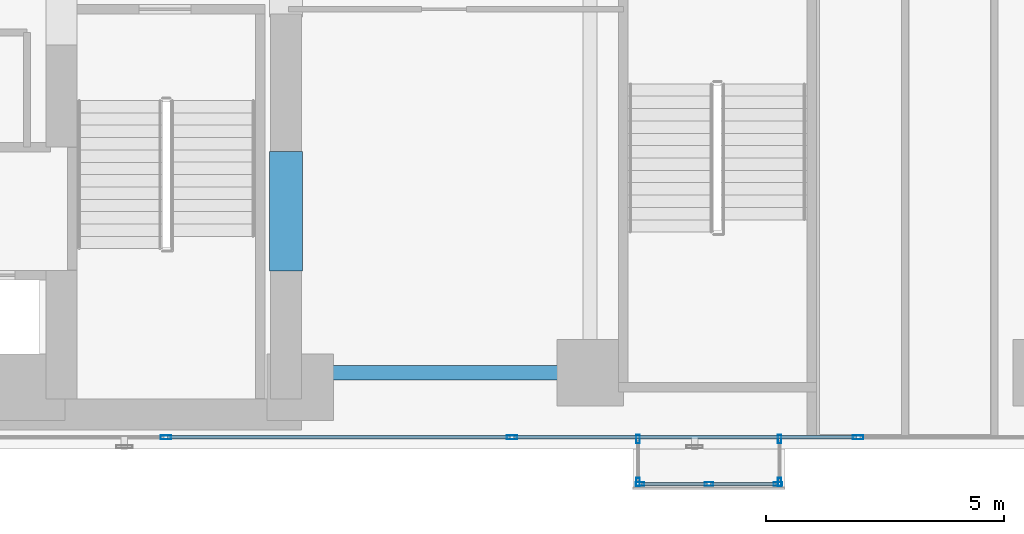
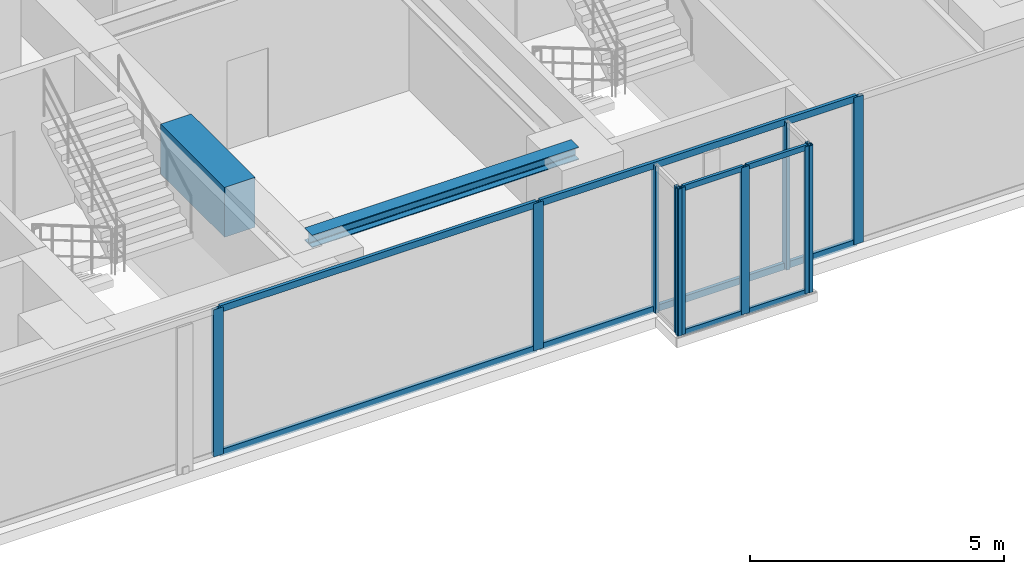
# One storey, part 4 of 26: 18 members, 2 beams, 4 elements without a shape of their own.
"""IFC4 building model written with IfcOpenShell, lengths in metres."""

from ifc_helpers import new_model, si_unit, direction, frame, origin, origin_with_axes, origin_2d, place, context, subcontext, project, spatial, rectangle, hollow_rectangle, i_section, extrude, source, transform, mapped, material, layer, layer_set, material_profile, profile_set, type_object, element, aggregate, save


model = new_model("IFC4")

# Units and contexts
model_context = context("Model", 3, precision=1e-05, world=origin(), true_north=direction((0.0, 1.0)))
body_context = subcontext(model_context, "Body", "Model", "MODEL_VIEW")
ifc_project = project(units=[si_unit("LENGTHUNIT", "METRE"), si_unit("AREAUNIT", "SQUARE_METRE"), si_unit("VOLUMEUNIT", "CUBIC_METRE"), si_unit("PLANEANGLEUNIT", "RADIAN"), si_unit("MASSUNIT", "GRAM", prefix="KILO")], contexts=[model_context])

# Site, building, storey
site_placement = place(None, origin())
site = spatial("IfcSite", under=ifc_project, at=site_placement, CompositionType="ELEMENT")
building_placement = place(site_placement, origin())
building = spatial("IfcBuilding", under=site, at=building_placement, Name="Kolvaren Waterfront Exchange", CompositionType="ELEMENT")
storey_placement = place(building_placement, frame((0.0, 0.0, 125.89990234375)))
storey = spatial("IfcBuildingStorey", under=building, at=storey_placement, Name="L32", CompositionType="ELEMENT", Elevation=125.89990234375)

# Beams
ifc_material_1 = material(Name="Steel S355", Category="steel")
ifc_material_profile_1 = material_profile(ifc_material_1, i_section(OverallWidth=0.300048828125, OverallDepth=0.300048828125, WebThickness=0.010986328125, FlangeThickness=0.01904296875, FilletRadius=0.027099609375, at=origin_2d()), Name="HEB300")
ifc_profile_set_1 = profile_set([ifc_material_profile_1], Name="Steel S355")
beam_type_1 = type_object("IfcBeamType", Name="STR-BM-HEB300", PredefinedType="SPANDREL", material=ifc_profile_set_1)
beam_1_placement = place(storey_placement, frame((21.125, 5.199951171875, 3.39013671875), z_axis=(1.0, 0.0, 0.0), x_axis=(0.0, 1.0, 0.0)))
element("IfcBeam", 1, at=beam_1_placement, inside=storey, type_object=beam_type_1, Name="L32 east-arm spandrel S1", PredefinedType="SPANDREL", context=body_context, shape_type="SweptSolid", body=[
    extrude(i_section(OverallWidth=0.300048828125, OverallDepth=0.300048828125, WebThickness=0.010986328125, FlangeThickness=0.01904296875, FilletRadius=0.027099609375, at=origin_2d()), origin(), (0.0, 0.0, 1.0), 6.074951171875),
])
ifc_material_2 = material(Name="Concrete C70/85", Category="concrete")
ifc_material_profile_2 = material_profile(ifc_material_2, rectangle(XDim=0.699951171875, YDim=1.199951171875, at=origin_2d()), Name="RC-CB-1200x700")
ifc_profile_set_2 = profile_set([ifc_material_profile_2], Name="Concrete C70/85")
beam_type_2 = type_object("IfcBeamType", Name="STR-CB-1200", PredefinedType="SPANDREL", material=ifc_profile_set_2)
beam_2_placement = place(storey_placement, frame((20.800048828125, 7.340087890625, 2.940185546875), z_axis=(0.0, 1.0, 0.0), x_axis=(-1.0, 0.0, 0.0)))
element("IfcBeam", 2, at=beam_2_placement, inside=storey, type_object=beam_type_2, Name="L32 core coupling beam 1", PredefinedType="SPANDREL", context=body_context, shape_type="SweptSolid", body=[
    extrude(rectangle(XDim=0.699951171875, YDim=1.199951171875, at=origin_2d()), origin(), (0.0, 0.0, 1.0), 2.52001953125),
])

# Curtain wall, members
ifc_material_3 = material(Name="Anodised bronze aluminium 6063-T6", Category="aluminium")
ifc_layer_1 = layer(ifc_material_3, 0.219970703125, Name="Anodised bronze aluminium 6063-T6")
ifc_layer_set_1 = layer_set([ifc_layer_1], Name="Anodised bronze aluminium 6063-T6")
curtain_wall_type_1 = type_object("IfcCurtainWallType", Name="ARC-CW-SYS3", PredefinedType="USERDEFINED", material=ifc_layer_set_1)
curtain_wall_1_placement = place(storey_placement, origin())
curtain_wall_1 = element("IfcCurtainWall", 3, at=curtain_wall_1_placement, inside=storey, type_object=curtain_wall_type_1, Name="L32 stick curtain wall CW3 (CW-L32-BOX-W)", ObjectType="STICK CURTAIN WALL", PredefinedType="USERDEFINED")
ifc_material_profile_3 = material_profile(ifc_material_3, hollow_rectangle(XDim=0.074951171875, YDim=0.179931640625, WallThickness=0.00439453125, at=origin_2d()), Name="ALU-MUL-180x75x4.5")
ifc_profile_set_3 = profile_set([ifc_material_profile_3], Name="Anodised bronze aluminium 6063-T6")
member_type_1 = type_object("IfcMemberType", Name="ARC-CWM-180", PredefinedType="MULLION", material=ifc_profile_set_3)
shared_shape_1 = source(origin_with_axes(), body_context, "Body", "SweptSolid", [
    extrude(hollow_rectangle(XDim=0.074951171875, YDim=0.179931640625, WallThickness=0.00439453125, at=origin_2d()), origin(), (0.0, 0.0, 1.0), 3.5400390625),
])
member_1_placement = place(storey_placement, frame((28.2099609375, 3.802490234375, 0.0), z_axis=(0.0, 0.0, 1.0), x_axis=(1.0, 0.0, 0.0)))
member_1 = element("IfcMember", 4, at=member_1_placement, type_object=member_type_1, Name="CW3 mullion 1", PredefinedType="MULLION", context=body_context, shape_type="MappedRepresentation", body=[
    mapped(shared_shape_1, transform((0.0, 0.0, 0.0), x_axis=(1.0, 0.0, 0.0), y_axis=(0.0, 1.0, 0.0), z_axis=(0.0, 0.0, 1.0), scale=1.0)),
])
member_2_placement = place(storey_placement, frame((28.2099609375, 2.8974609375, 0.0), z_axis=(0.0, 0.0, 1.0), x_axis=(1.0, 0.0, 0.0)))
member_2 = element("IfcMember", 5, at=member_2_placement, type_object=member_type_1, Name="CW3 mullion 2", PredefinedType="MULLION", context=body_context, shape_type="MappedRepresentation", body=[
    mapped(shared_shape_1, transform((0.0, 0.0, 0.0), x_axis=(1.0, 0.0, 0.0), y_axis=(0.0, 1.0, 0.0), z_axis=(0.0, 0.0, 1.0), scale=1.0)),
])
aggregate(curtain_wall_1, [member_1, member_2])

curtain_wall_2_placement = place(storey_placement, origin())
curtain_wall_2 = element("IfcCurtainWall", 6, at=curtain_wall_2_placement, inside=storey, type_object=curtain_wall_type_1, Name="L32 stick curtain wall CW3 (CW-L32-BOX)", ObjectType="STICK CURTAIN WALL", PredefinedType="USERDEFINED")
member_3_placement = place(storey_placement, frame((28.24755859375, 2.860107421875, 0.0), z_axis=(0.0, 0.0, 1.0), x_axis=(0.0, 1.0, 0.0)))
member_3 = element("IfcMember", 7, at=member_3_placement, type_object=member_type_1, Name="CW3 mullion 1", PredefinedType="MULLION", context=body_context, shape_type="MappedRepresentation", body=[
    mapped(shared_shape_1, transform((0.0, 0.0, 0.0), x_axis=(1.0, 0.0, 0.0), y_axis=(0.0, 1.0, 0.0), z_axis=(0.0, 0.0, 1.0), scale=1.0)),
])
member_4_placement = place(storey_placement, frame((29.699951171875, 2.860107421875, 0.0), z_axis=(0.0, 0.0, 1.0), x_axis=(0.0, 1.0, 0.0)))
member_4 = element("IfcMember", 8, at=member_4_placement, type_object=member_type_1, Name="CW3 mullion 2", PredefinedType="MULLION", context=body_context, shape_type="MappedRepresentation", body=[
    mapped(shared_shape_1, transform((0.0, 0.0, 0.0), x_axis=(1.0, 0.0, 0.0), y_axis=(0.0, 1.0, 0.0), z_axis=(0.0, 0.0, 1.0), scale=1.0)),
])
member_5_placement = place(storey_placement, frame((31.152587890625, 2.860107421875, 0.0), z_axis=(0.0, 0.0, 1.0), x_axis=(0.0, 1.0, 0.0)))
member_5 = element("IfcMember", 9, at=member_5_placement, type_object=member_type_1, Name="CW3 mullion 3", PredefinedType="MULLION", context=body_context, shape_type="MappedRepresentation", body=[
    mapped(shared_shape_1, transform((0.0, 0.0, 0.0), x_axis=(1.0, 0.0, 0.0), y_axis=(0.0, 1.0, 0.0), z_axis=(0.0, 0.0, 1.0), scale=1.0)),
])

curtain_wall_3_placement = place(storey_placement, origin())
curtain_wall_3 = element("IfcCurtainWall", 10, at=curtain_wall_3_placement, inside=storey, type_object=curtain_wall_type_1, Name="L32 stick curtain wall CW3 (CW-L32-BOX-E)", ObjectType="STICK CURTAIN WALL", PredefinedType="USERDEFINED")
member_6_placement = place(storey_placement, frame((31.18994140625, 2.8974609375, 0.0), z_axis=(0.0, 0.0, 1.0), x_axis=(-1.0, 0.0, 0.0)))
member_6 = element("IfcMember", 11, at=member_6_placement, type_object=member_type_1, Name="CW3 mullion 1", PredefinedType="MULLION", context=body_context, shape_type="MappedRepresentation", body=[
    mapped(shared_shape_1, transform((0.0, 0.0, 0.0), x_axis=(1.0, 0.0, 0.0), y_axis=(0.0, 1.0, 0.0), z_axis=(0.0, 0.0, 1.0), scale=1.0)),
])
member_7_placement = place(storey_placement, frame((31.18994140625, 3.802490234375, 0.0), z_axis=(0.0, 0.0, 1.0), x_axis=(-1.0, 0.0, 0.0)))
member_7 = element("IfcMember", 12, at=member_7_placement, type_object=member_type_1, Name="CW3 mullion 2", PredefinedType="MULLION", context=body_context, shape_type="MappedRepresentation", body=[
    mapped(shared_shape_1, transform((0.0, 0.0, 0.0), x_axis=(1.0, 0.0, 0.0), y_axis=(0.0, 1.0, 0.0), z_axis=(0.0, 0.0, 1.0), scale=1.0)),
])
aggregate(curtain_wall_3, [member_6, member_7])

# Member
ifc_material_profile_4 = material_profile(ifc_material_3, hollow_rectangle(XDim=0.06494140625, YDim=0.1298828125, WallThickness=0.00390625, at=origin_2d()), Name="ALU-TRN-130x65x4")
ifc_profile_set_4 = profile_set([ifc_material_profile_4], Name="Anodised bronze aluminium 6063-T6")
member_type_2 = type_object("IfcMemberType", Name="ARC-CWT-130", PredefinedType="USERDEFINED", material=ifc_profile_set_4)
shared_shape_2 = source(origin_with_axes(), body_context, "Body", "SweptSolid", [
    extrude(hollow_rectangle(XDim=0.06494140625, YDim=0.1298828125, WallThickness=0.00390625, at=origin_2d()), origin(), (0.0, 0.0, 1.0), 1.377685546875),
])
member_8_placement = place(storey_placement, frame((28.284912109375, 2.860107421875, 0.03271484375), z_axis=(1.0, 0.0, 0.0), x_axis=(0.0, 1.0, 0.0)))
member_8 = element("IfcMember", 13, at=member_8_placement, type_object=member_type_2, Name="CW3 transom 1.1", ObjectType="TRANSOM", PredefinedType="USERDEFINED", context=body_context, shape_type="MappedRepresentation", body=[
    mapped(shared_shape_2, transform((0.0, 0.0, 0.0), x_axis=(1.0, 0.0, 0.0), y_axis=(0.0, 1.0, 0.0), z_axis=(0.0, 0.0, 1.0), scale=1.0)),
])

member_9_placement = place(storey_placement, frame((28.284912109375, 2.860107421875, 3.507568359375), z_axis=(1.0, 0.0, 0.0), x_axis=(0.0, 1.0, 0.0)))
member_9 = element("IfcMember", 14, at=member_9_placement, type_object=member_type_2, Name="CW3 transom 1.2", ObjectType="TRANSOM", PredefinedType="USERDEFINED", context=body_context, shape_type="MappedRepresentation", body=[
    mapped(shared_shape_2, transform((0.0, 0.0, 0.0), x_axis=(1.0, 0.0, 0.0), y_axis=(0.0, 1.0, 0.0), z_axis=(0.0, 0.0, 1.0), scale=1.0)),
])

shared_shape_3 = source(origin_with_axes(), body_context, "Body", "SweptSolid", [
    extrude(hollow_rectangle(XDim=0.06494140625, YDim=0.1298828125, WallThickness=0.00390625, at=origin_2d()), origin(), (0.0, 0.0, 1.0), 1.37744140625),
])
member_10_placement = place(storey_placement, frame((29.737548828125, 2.860107421875, 0.03271484375), z_axis=(1.0, 0.0, 0.0), x_axis=(0.0, 1.0, 0.0)))
member_10 = element("IfcMember", 15, at=member_10_placement, type_object=member_type_2, Name="CW3 transom 2.1", ObjectType="TRANSOM", PredefinedType="USERDEFINED", context=body_context, shape_type="MappedRepresentation", body=[
    mapped(shared_shape_3, transform((0.0, 0.0, 0.0), x_axis=(1.0, 0.0, 0.0), y_axis=(0.0, 1.0, 0.0), z_axis=(0.0, 0.0, 1.0), scale=1.0)),
])

member_11_placement = place(storey_placement, frame((29.737548828125, 2.860107421875, 3.507568359375), z_axis=(1.0, 0.0, 0.0), x_axis=(0.0, 1.0, 0.0)))
member_11 = element("IfcMember", 16, at=member_11_placement, type_object=member_type_2, Name="CW3 transom 2.2", ObjectType="TRANSOM", PredefinedType="USERDEFINED", context=body_context, shape_type="MappedRepresentation", body=[
    mapped(shared_shape_3, transform((0.0, 0.0, 0.0), x_axis=(1.0, 0.0, 0.0), y_axis=(0.0, 1.0, 0.0), z_axis=(0.0, 0.0, 1.0), scale=1.0)),
])

aggregate(curtain_wall_2, [member_3, member_4, member_5, member_8, member_9, member_10, member_11])

# Curtain wall, members
ifc_layer_2 = layer(ifc_material_3, 0.219970703125, Name="Anodised bronze aluminium 6063-T6")
ifc_layer_set_2 = layer_set([ifc_layer_2], Name="Anodised bronze aluminium 6063-T6")
curtain_wall_type_2 = type_object("IfcCurtainWallType", Name="ARC-CW-SYS1", PredefinedType="USERDEFINED", material=ifc_layer_set_2)
curtain_wall_4_placement = place(storey_placement, origin())
curtain_wall_4 = element("IfcCurtainWall", 17, at=curtain_wall_4_placement, inside=storey, type_object=curtain_wall_type_2, Name="L32 stick curtain wall CW1 (CW-L32-S)", ObjectType="STICK CURTAIN WALL", PredefinedType="USERDEFINED")
ifc_material_4 = material(Name="Anodised aluminium 6063-T6", Category="aluminium")
ifc_material_profile_5 = material_profile(ifc_material_4, hollow_rectangle(XDim=0.080078125, YDim=0.219970703125, WallThickness=0.0048828125, at=origin_2d()), Name="ALU-MUL-220x80x5")
ifc_profile_set_5 = profile_set([ifc_material_profile_5], Name="Anodised aluminium 6063-T6")
member_type_3 = type_object("IfcMemberType", Name="ARC-CWM-220", PredefinedType="MULLION", material=ifc_profile_set_5)
shared_shape_4 = source(origin_with_axes(), body_context, "Body", "SweptSolid", [
    extrude(hollow_rectangle(XDim=0.080078125, YDim=0.219970703125, WallThickness=0.0048828125, at=origin_2d()), origin(), (0.0, 0.0, 1.0), 3.5400390625),
])
member_12_placement = place(storey_placement, frame((18.271484375, 3.840087890625, 0.0), z_axis=(0.0, 0.0, 1.0), x_axis=(0.0, 1.0, 0.0)))
member_12 = element("IfcMember", 18, at=member_12_placement, type_object=member_type_3, Name="CW1 mullion 3", PredefinedType="MULLION", context=body_context, shape_type="MappedRepresentation", body=[
    mapped(shared_shape_4, transform((0.0, 0.0, 0.0), x_axis=(1.0, 0.0, 0.0), y_axis=(0.0, 1.0, 0.0), z_axis=(0.0, 0.0, 1.0), scale=1.0)),
])
member_13_placement = place(storey_placement, frame((25.55712890625, 3.840087890625, 0.0), z_axis=(0.0, 0.0, 1.0), x_axis=(0.0, 1.0, 0.0)))
member_13 = element("IfcMember", 19, at=member_13_placement, type_object=member_type_3, Name="CW1 mullion 4", PredefinedType="MULLION", context=body_context, shape_type="MappedRepresentation", body=[
    mapped(shared_shape_4, transform((0.0, 0.0, 0.0), x_axis=(1.0, 0.0, 0.0), y_axis=(0.0, 1.0, 0.0), z_axis=(0.0, 0.0, 1.0), scale=1.0)),
])
member_14_placement = place(storey_placement, frame((32.8427734375, 3.840087890625, 0.0), z_axis=(0.0, 0.0, 1.0), x_axis=(0.0, 1.0, 0.0)))
member_14 = element("IfcMember", 20, at=member_14_placement, type_object=member_type_3, Name="CW1 mullion 5", PredefinedType="MULLION", context=body_context, shape_type="MappedRepresentation", body=[
    mapped(shared_shape_4, transform((0.0, 0.0, 0.0), x_axis=(1.0, 0.0, 0.0), y_axis=(0.0, 1.0, 0.0), z_axis=(0.0, 0.0, 1.0), scale=1.0)),
])
ifc_material_profile_6 = material_profile(ifc_material_4, hollow_rectangle(XDim=0.074951171875, YDim=0.159912109375, WallThickness=0.00439453125, at=origin_2d()), Name="ALU-TRN-160x75x4.5")
ifc_profile_set_6 = profile_set([ifc_material_profile_6], Name="Anodised aluminium 6063-T6")
member_type_4 = type_object("IfcMemberType", Name="ARC-CWT-160", PredefinedType="USERDEFINED", material=ifc_profile_set_6)
shared_shape_5 = source(origin_with_axes(), body_context, "Body", "SweptSolid", [
    extrude(hollow_rectangle(XDim=0.074951171875, YDim=0.159912109375, WallThickness=0.00439453125, at=origin_2d()), origin(), (0.0, 0.0, 1.0), 7.205810546875),
])
member_15_placement = place(storey_placement, frame((25.59716796875, 3.840087890625, 0.03759765625), z_axis=(1.0, 0.0, 0.0), x_axis=(0.0, 1.0, 0.0)))
member_15 = element("IfcMember", 21, at=member_15_placement, type_object=member_type_4, Name="CW1 transom 4.1", ObjectType="TRANSOM", PredefinedType="USERDEFINED", context=body_context, shape_type="MappedRepresentation", body=[
    mapped(shared_shape_5, transform((0.0, 0.0, 0.0), x_axis=(1.0, 0.0, 0.0), y_axis=(0.0, 1.0, 0.0), z_axis=(0.0, 0.0, 1.0), scale=1.0)),
])
member_16_placement = place(storey_placement, frame((25.59716796875, 3.840087890625, 3.502685546875), z_axis=(1.0, 0.0, 0.0), x_axis=(0.0, 1.0, 0.0)))
member_16 = element("IfcMember", 22, at=member_16_placement, type_object=member_type_4, Name="CW1 transom 4.2", ObjectType="TRANSOM", PredefinedType="USERDEFINED", context=body_context, shape_type="MappedRepresentation", body=[
    mapped(shared_shape_5, transform((0.0, 0.0, 0.0), x_axis=(1.0, 0.0, 0.0), y_axis=(0.0, 1.0, 0.0), z_axis=(0.0, 0.0, 1.0), scale=1.0)),
])
shared_shape_6 = source(origin_with_axes(), body_context, "Body", "SweptSolid", [
    extrude(hollow_rectangle(XDim=0.074951171875, YDim=0.159912109375, WallThickness=0.00439453125, at=origin_2d()), origin(), (0.0, 0.0, 1.0), 7.20556640625),
])
member_17_placement = place(storey_placement, frame((18.3115234375, 3.840087890625, 0.03759765625), z_axis=(1.0, 0.0, 0.0), x_axis=(0.0, 1.0, 0.0)))
member_17 = element("IfcMember", 23, at=member_17_placement, type_object=member_type_4, Name="CW1 transom 3.1", ObjectType="TRANSOM", PredefinedType="USERDEFINED", context=body_context, shape_type="MappedRepresentation", body=[
    mapped(shared_shape_6, transform((0.0, 0.0, 0.0), x_axis=(1.0, 0.0, 0.0), y_axis=(0.0, 1.0, 0.0), z_axis=(0.0, 0.0, 1.0), scale=1.0)),
])
member_18_placement = place(storey_placement, frame((18.3115234375, 3.840087890625, 3.502685546875), z_axis=(1.0, 0.0, 0.0), x_axis=(0.0, 1.0, 0.0)))
member_18 = element("IfcMember", 24, at=member_18_placement, type_object=member_type_4, Name="CW1 transom 3.2", ObjectType="TRANSOM", PredefinedType="USERDEFINED", context=body_context, shape_type="MappedRepresentation", body=[
    mapped(shared_shape_6, transform((0.0, 0.0, 0.0), x_axis=(1.0, 0.0, 0.0), y_axis=(0.0, 1.0, 0.0), z_axis=(0.0, 0.0, 1.0), scale=1.0)),
])
aggregate(curtain_wall_4, [member_12, member_13, member_14, member_17, member_18, member_15, member_16])

save(model, "model.ifc")
